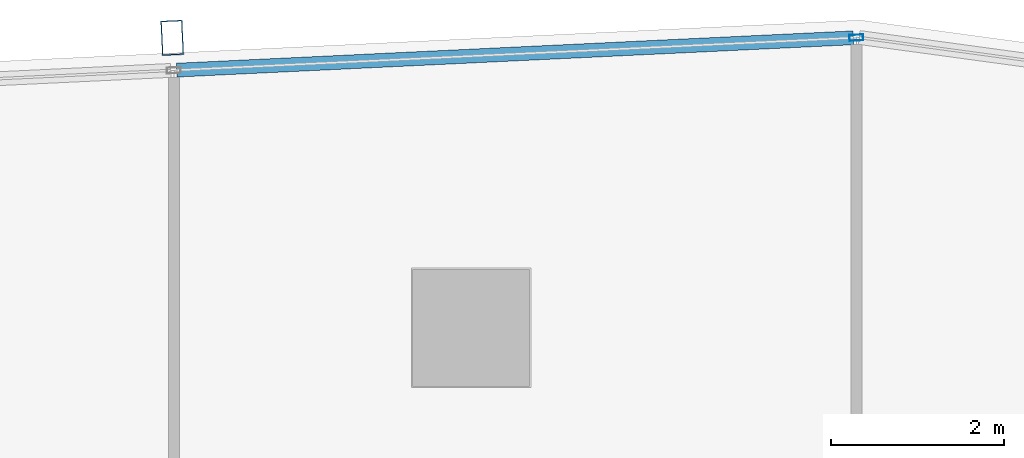
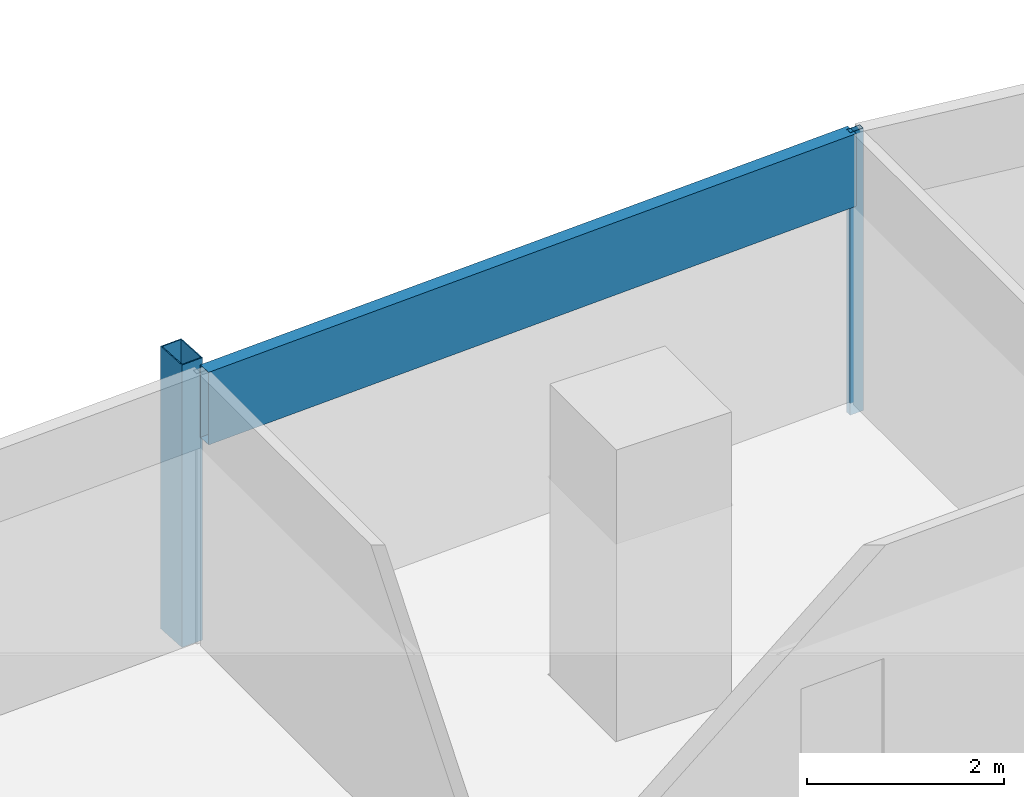
# One storey, part 25 of 39: 3 members, 1 element without a shape of its own.
"""IFC4 building model written with IfcOpenShell, lengths in metres."""

from ifc_helpers import new_model, si_unit, direction, frame, origin, origin_2d, place, context, subcontext, project, spatial, hollow_rectangle, extrude, material, material_profile, profile_set, type_object, element, aggregate, save


model = new_model("IFC4")

# Units and contexts
model_context = context("Model", 3, precision=1e-05, world=origin(), true_north=direction((0.0, 1.0)))
body_context = subcontext(model_context, "Body", "Model", "MODEL_VIEW")
ifc_project = project(units=[si_unit("LENGTHUNIT", "METRE"), si_unit("AREAUNIT", "SQUARE_METRE"), si_unit("VOLUMEUNIT", "CUBIC_METRE"), si_unit("PLANEANGLEUNIT", "RADIAN"), si_unit("MASSUNIT", "GRAM", prefix="KILO")], contexts=[model_context])

# Site, building, storey
site_placement = place(None, origin())
site = spatial("IfcSite", under=ifc_project, at=site_placement, CompositionType="ELEMENT")
building_placement = place(site_placement, origin())
building = spatial("IfcBuilding", under=site, at=building_placement, Name="Rekha Terrace Tower", CompositionType="ELEMENT")
storey_placement = place(building_placement, frame((0.0, 0.0, 225.199951171875)))
storey = spatial("IfcBuildingStorey", under=building, at=storey_placement, Name="L57", CompositionType="ELEMENT", Elevation=225.199951171875)

# Curtain wall, members
ifc_material_1 = material(Name="Aluminium framing", Category="aluminium")
curtain_wall_type = type_object("IfcCurtainWallType", Name="CW3 north unitised glazing", PredefinedType="USERDEFINED", material=ifc_material_1)
curtain_wall_placement = place(storey_placement, origin())
curtain_wall = element("IfcCurtainWall", 1, at=curtain_wall_placement, inside=storey, type_object=curtain_wall_type, Name="CW3 unitised curtain wall", ObjectType="UNITISED CURTAIN WALL", PredefinedType="USERDEFINED")
ifc_material_2 = material(Name="Steel S355 with fluorocarbon finish", Category="steel")
ifc_material_profile_1 = material_profile(ifc_material_2, hollow_rectangle(XDim=0.25, YDim=0.39990234375, WallThickness=0.012451171875, at=origin_2d()), Name="RHS400x250x12.5")
ifc_profile_set_1 = profile_set([ifc_material_profile_1], Name="Steel S355 with fluorocarbon finish")
member_type_1 = type_object("IfcMemberType", Name="BL1 facade blade RHS 400 x 250", PredefinedType="USERDEFINED", material=ifc_profile_set_1)
member_1_placement = place(storey_placement, frame((38.55224609375, 62.145751953125, 0.0), z_axis=(0.0, 0.0, 1.0), x_axis=(-0.998858913274, -0.04775846913, 0.0)))
member_1 = element("IfcMember", 2, at=member_1_placement, type_object=member_type_1, Name="Facade blade", ObjectType="FACADE BLADE", PredefinedType="USERDEFINED", context=body_context, shape_type="SweptSolid", body=[
    extrude(hollow_rectangle(XDim=0.25, YDim=0.39990234375, WallThickness=0.012451171875, at=origin_2d()), origin(), (0.0, 0.0, 1.0), 3.5),
])
ifc_material_3 = material(Name="Aluminium mullion section", Category="aluminium")
ifc_material_profile_2 = material_profile(ifc_material_3, hollow_rectangle(XDim=0.070068359375, YDim=0.159912109375, WallThickness=0.00390625, at=origin_2d()), Name="AL RHS 70x160")
ifc_profile_set_2 = profile_set([ifc_material_profile_2], Name="Aluminium mullion section")
member_type_2 = type_object("IfcMemberType", Name="CW3 mullion RHS 70 x 160", PredefinedType="MULLION", material=ifc_profile_set_2)
member_2_placement = place(storey_placement, frame((46.4443359375, 62.147705078125, 0.0), z_axis=(0.0, 0.0, 1.0), x_axis=(0.047758616983, -0.998858906204, 0.0)))
member_2 = element("IfcMember", 3, at=member_2_placement, type_object=member_type_2, Name="CW3 mullion 1", PredefinedType="MULLION", context=body_context, shape_type="SweptSolid", body=[
    extrude(hollow_rectangle(XDim=0.070068359375, YDim=0.159912109375, WallThickness=0.00390625, at=origin_2d()), origin(), (0.0, 0.0, 1.0), 3.5),
])
ifc_material_4 = material(Name="Insulated aluminium spandrel box", Category="aluminium")
ifc_material_profile_3 = material_profile(ifc_material_4, hollow_rectangle(XDim=0.159912109375, YDim=0.89990234375, WallThickness=0.0029296875, at=origin_2d()), Name="AL SPANDREL BOX 160x900")
ifc_profile_set_3 = profile_set([ifc_material_profile_3], Name="Insulated aluminium spandrel box")
member_type_3 = type_object("IfcMemberType", Name="CW3 spandrel transom 160 x 900", PredefinedType="USERDEFINED", material=ifc_profile_set_3)
member_3_placement = place(storey_placement, frame((46.4091796875, 62.14599609375, 3.050048828125), z_axis=(-0.998859425172, -0.047747761666, 0.0), x_axis=(0.047747761666, -0.998859425172, 0.0)))
member_3 = element("IfcMember", 4, at=member_3_placement, type_object=member_type_3, Name="CW3 spandrel transom 1", ObjectType="TRANSOM", PredefinedType="USERDEFINED", context=body_context, shape_type="SweptSolid", body=[
    extrude(hollow_rectangle(XDim=0.159912109375, YDim=0.89990234375, WallThickness=0.0029296875, at=origin_2d()), origin(), (0.0, 0.0, 1.0), 7.81298828125),
])
aggregate(curtain_wall, [member_2, member_3, member_1])

save(model, "model.ifc")
